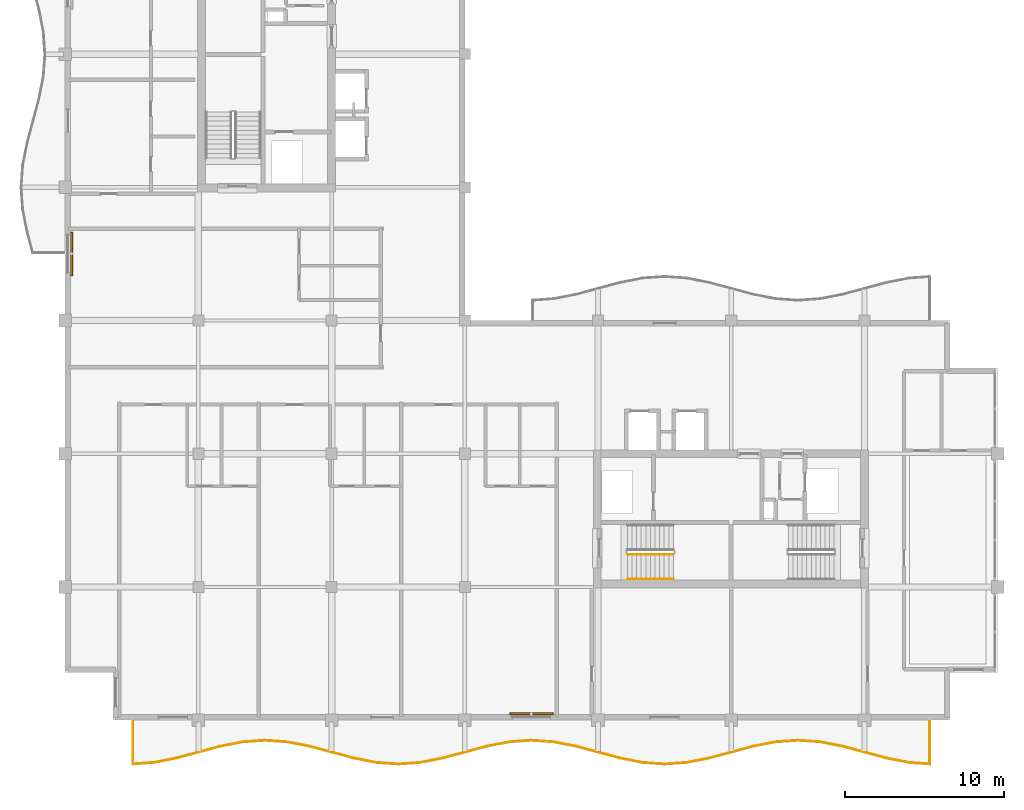
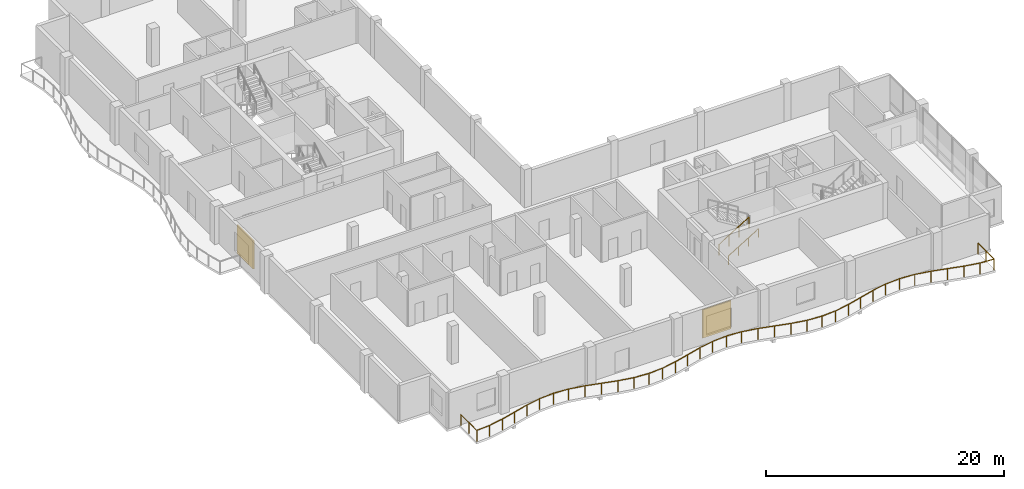
# One storey, part 12 of 14: 3 railings, 2 shading devices.
"""IFC4 building model written with IfcOpenShell, lengths in metres."""

from ifc_helpers import new_model, si_unit, direction, frame, origin, origin_2d, place, context, subcontext, project, spatial, rectangle, circle, extrude, material, layer, layer_set, type_object, element, save


model = new_model("IFC4")

# Units and contexts
model_context = context("Model", 3, precision=1e-05, world=origin(), true_north=direction((0.0, 1.0)))
body_context = subcontext(model_context, "Body", "Model", "MODEL_VIEW")
ifc_project = project(units=[si_unit("LENGTHUNIT", "METRE"), si_unit("AREAUNIT", "SQUARE_METRE"), si_unit("VOLUMEUNIT", "CUBIC_METRE"), si_unit("PLANEANGLEUNIT", "RADIAN"), si_unit("MASSUNIT", "GRAM", prefix="KILO")], contexts=[model_context])

# Site, building, storey
site_placement = place(None, origin())
site = spatial("IfcSite", under=ifc_project, at=site_placement, CompositionType="ELEMENT")
building_placement = place(site_placement, origin())
building = spatial("IfcBuilding", under=site, at=building_placement, Name="Koriwani Terraces Tower", CompositionType="ELEMENT")
storey_placement = place(building_placement, frame((0.0, 0.0, 308.60009765625)))
storey = spatial("IfcBuildingStorey", under=building, at=storey_placement, Name="L76", CompositionType="ELEMENT", Elevation=308.60009765625)

# Railings
ifc_material_1 = material(Name="Steel ASTM A572 Grade 50", Category="steel")
railing_type_1 = type_object("IfcRailingType", Name="GUARD_BALUSTRADE_1150", PredefinedType="BALUSTRADE", material=ifc_material_1)
railing_1_placement = place(storey_placement, frame((12.679931640625, 8.320068359375, 0.0)))
element("IfcRailing", 1, at=railing_1_placement, inside=storey, type_object=railing_type_1, Name="L76 Balcony Perimeter Safety Balustrade (S)", PredefinedType="BALUSTRADE", context=body_context, shape_type="SweptSolid", body=[
    extrude(circle(Radius=0.02392578125, at=origin_2d()), frame((0.0, 0.0, 1.1259765625), z_axis=(0.0, -1.0, 0.0), x_axis=(1.0, 0.0, 0.0)), (0.0, 0.0, 1.0), 2.68408203125),
    extrude(circle(Radius=0.02392578125, at=origin_2d()), frame((0.0, -2.68408203125, 1.1259765625), z_axis=(0.997434099073, 0.071590627916, 0.0), x_axis=(-0.071590627916, 0.997434099073, 0.0)), (0.0, 0.0, 1.0), 1.31298828125),
    extrude(circle(Radius=0.02392578125, at=origin_2d()), frame((1.3095703125, -2.590087890625, 1.1259765625), z_axis=(0.981321393675, 0.19237547223, 0.0), x_axis=(-0.19237547223, 0.981321393675, 0.0)), (0.0, 0.0, 1.0), 1.4189453125),
    extrude(circle(Radius=0.02392578125, at=origin_2d()), frame((2.701904296875, -2.317138671875, 1.1259765625), z_axis=(0.96594917914, 0.258731875344, 0.0), x_axis=(-0.258731875344, 0.96594917914, 0.0)), (0.0, 0.0, 1.0), 2.898681640625),
    extrude(circle(Radius=0.02392578125, at=origin_2d()), frame((5.501953125, -1.567138671875, 1.1259765625), z_axis=(0.981358469957, 0.192186246762, 0.0), x_axis=(-0.192186246762, 0.981358469957, 0.0)), (0.0, 0.0, 1.0), 1.434326171875),
    extrude(circle(Radius=0.02392578125, at=origin_2d()), frame((6.909423828125, -1.29150390625, 1.1259765625), z_axis=(0.997430581876, 0.071639614309, 0.0), x_axis=(-0.071639614309, 0.997430581876, 0.0)), (0.0, 0.0, 1.0), 1.414306640625),
    extrude(circle(Radius=0.02392578125, at=origin_2d()), frame((8.320068359375, -1.190185546875, 1.1259765625), z_axis=(0.997430581876, -0.071639614309, 0.0), x_axis=(0.071639614309, 0.997430581876, 0.0)), (0.0, 0.0, 1.0), 1.414306640625),
    extrude(circle(Radius=0.02392578125, at=origin_2d()), frame((9.730712890625, -1.29150390625, 1.1259765625), z_axis=(0.981358469957, -0.192186246762, 0.0), x_axis=(0.192186246762, 0.981358469957, 0.0)), (0.0, 0.0, 1.0), 1.434326171875),
    extrude(circle(Radius=0.02392578125, at=origin_2d()), frame((11.13818359375, -1.567138671875, 1.1259765625), z_axis=(0.96594917914, -0.258731875344, 0.0), x_axis=(0.258731875344, 0.96594917914, 0.0)), (0.0, 0.0, 1.0), 2.898681640625),
    extrude(circle(Radius=0.02392578125, at=origin_2d()), frame((13.938232421875, -2.317138671875, 1.1259765625), z_axis=(0.981321393675, -0.19237547223, 0.0), x_axis=(0.19237547223, 0.981321393675, 0.0)), (0.0, 0.0, 1.0), 1.4189453125),
    extrude(circle(Radius=0.02392578125, at=origin_2d()), frame((15.33056640625, -2.590087890625, 1.1259765625), z_axis=(0.997427466293, -0.07168297904, 0.0), x_axis=(0.07168297904, 0.997427466293, 0.0)), (0.0, 0.0, 1.0), 1.39306640625),
    extrude(circle(Radius=0.02392578125, at=origin_2d()), frame((16.719970703125, -2.68994140625, 1.1259765625), z_axis=(0.997427466293, 0.07168297904, 0.0), x_axis=(-0.07168297904, 0.997427466293, 0.0)), (0.0, 0.0, 1.0), 1.39306640625),
    extrude(circle(Radius=0.02392578125, at=origin_2d()), frame((18.109375, -2.590087890625, 1.1259765625), z_axis=(0.981327760125, 0.192342993657, 0.0), x_axis=(-0.192342993657, 0.981327760125, 0.0)), (0.0, 0.0, 1.0), 1.419189453125),
    extrude(circle(Radius=0.02392578125, at=origin_2d()), frame((19.501953125, -2.317138671875, 1.1259765625), z_axis=(0.96594917914, 0.258731875344, 0.0), x_axis=(-0.258731875344, 0.96594917914, 0.0)), (0.0, 0.0, 1.0), 2.898681640625),
    extrude(circle(Radius=0.02392578125, at=origin_2d()), frame((22.302001953125, -1.567138671875, 1.1259765625), z_axis=(0.981358469957, 0.192186246762, 0.0), x_axis=(-0.192186246762, 0.981358469957, 0.0)), (0.0, 0.0, 1.0), 1.434326171875),
    extrude(circle(Radius=0.02392578125, at=origin_2d()), frame((23.70947265625, -1.29150390625, 1.1259765625), z_axis=(0.997430581876, 0.071639614309, 0.0), x_axis=(-0.071639614309, 0.997430581876, 0.0)), (0.0, 0.0, 1.0), 1.414306640625),
    extrude(circle(Radius=0.02392578125, at=origin_2d()), frame((25.1201171875, -1.190185546875, 1.1259765625), z_axis=(0.997430581876, -0.071639614309, 0.0), x_axis=(0.071639614309, 0.997430581876, 0.0)), (0.0, 0.0, 1.0), 1.414306640625),
    extrude(circle(Radius=0.02392578125, at=origin_2d()), frame((26.53076171875, -1.29150390625, 1.1259765625), z_axis=(0.981352180954, -0.192218357442, 0.0), x_axis=(0.192218357442, 0.981352180954, 0.0)), (0.0, 0.0, 1.0), 1.43408203125),
    extrude(circle(Radius=0.02392578125, at=origin_2d()), frame((27.93798828125, -1.567138671875, 1.1259765625), z_axis=(0.965954816498, -0.258710827923, 0.0), x_axis=(0.258710827923, 0.965954816498, 0.0)), (0.0, 0.0, 1.0), 2.89892578125),
    extrude(circle(Radius=0.02392578125, at=origin_2d()), frame((30.73828125, -2.317138671875, 1.1259765625), z_axis=(0.981321393675, -0.19237547223, 0.0), x_axis=(0.19237547223, 0.981321393675, 0.0)), (0.0, 0.0, 1.0), 1.4189453125),
    extrude(circle(Radius=0.02392578125, at=origin_2d()), frame((32.130615234375, -2.590087890625, 1.1259765625), z_axis=(0.997427466293, -0.07168297904, 0.0), x_axis=(0.07168297904, 0.997427466293, 0.0)), (0.0, 0.0, 1.0), 1.39306640625),
    extrude(circle(Radius=0.02392578125, at=origin_2d()), frame((33.52001953125, -2.68994140625, 1.1259765625), z_axis=(0.997427466293, 0.07168297904, 0.0), x_axis=(-0.07168297904, 0.997427466293, 0.0)), (0.0, 0.0, 1.0), 1.39306640625),
    extrude(circle(Radius=0.02392578125, at=origin_2d()), frame((34.909423828125, -2.590087890625, 1.1259765625), z_axis=(0.981327760125, 0.192342993657, 0.0), x_axis=(-0.192342993657, 0.981327760125, 0.0)), (0.0, 0.0, 1.0), 1.419189453125),
    extrude(circle(Radius=0.02392578125, at=origin_2d()), frame((36.302001953125, -2.317138671875, 1.1259765625), z_axis=(0.96594917914, 0.258731875344, 0.0), x_axis=(-0.258731875344, 0.96594917914, 0.0)), (0.0, 0.0, 1.0), 2.898681640625),
    extrude(circle(Radius=0.02392578125, at=origin_2d()), frame((39.10205078125, -1.567138671875, 1.1259765625), z_axis=(0.981358469957, 0.192186246762, 0.0), x_axis=(-0.192186246762, 0.981358469957, 0.0)), (0.0, 0.0, 1.0), 1.434326171875),
    extrude(circle(Radius=0.02392578125, at=origin_2d()), frame((40.509521484375, -1.29150390625, 1.1259765625), z_axis=(0.997430581876, 0.071639614309, 0.0), x_axis=(-0.071639614309, 0.997430581876, 0.0)), (0.0, 0.0, 1.0), 1.414306640625),
    extrude(circle(Radius=0.02392578125, at=origin_2d()), frame((41.920166015625, -1.190185546875, 1.1259765625), z_axis=(0.997429695692, -0.071651951482, 0.0), x_axis=(0.071651951482, 0.997429695692, 0.0)), (0.0, 0.0, 1.0), 1.4140625),
    extrude(circle(Radius=0.02392578125, at=origin_2d()), frame((43.33056640625, -1.29150390625, 1.1259765625), z_axis=(0.981358469957, -0.192186246762, 0.0), x_axis=(0.192186246762, 0.981358469957, 0.0)), (0.0, 0.0, 1.0), 1.434326171875),
    extrude(circle(Radius=0.02392578125, at=origin_2d()), frame((44.738037109375, -1.567138671875, 1.1259765625), z_axis=(0.96594917914, -0.258731875344, 0.0), x_axis=(0.258731875344, 0.96594917914, 0.0)), (0.0, 0.0, 1.0), 2.898681640625),
    extrude(circle(Radius=0.02392578125, at=origin_2d()), frame((47.5380859375, -2.317138671875, 1.1259765625), z_axis=(0.981327760125, -0.192342993657, 0.0), x_axis=(0.192342993657, 0.981327760125, 0.0)), (0.0, 0.0, 1.0), 1.419189453125),
    extrude(circle(Radius=0.02392578125, at=origin_2d()), frame((48.9306640625, -2.590087890625, 1.1259765625), z_axis=(0.997433145776, -0.07160390847, 0.0), x_axis=(0.07160390847, 0.997433145776, 0.0)), (0.0, 0.0, 1.0), 1.312744140625),
    extrude(circle(Radius=0.02392578125, at=origin_2d()), frame((50.239990234375, -2.68408203125, 1.1259765625), z_axis=(0.0, 1.0, 0.0), x_axis=(-1.0, 0.0, 0.0)), (0.0, 0.0, 1.0), 2.68408203125),
    extrude(circle(Radius=0.02099609375, at=origin_2d()), origin(), (0.0, 0.0, 1.0), 1.101806640625),
    extrude(circle(Radius=0.02099609375, at=origin_2d()), frame((0.0, -1.342041015625, 0.0)), (0.0, 0.0, 1.0), 1.101806640625),
    extrude(circle(Radius=0.02099609375, at=origin_2d()), frame((0.0, -2.68408203125, 0.0)), (0.0, 0.0, 1.0), 1.101806640625),
    extrude(circle(Radius=0.02099609375, at=origin_2d()), frame((1.3095703125, -2.590087890625, 0.0)), (0.0, 0.0, 1.0), 1.101806640625),
    extrude(circle(Radius=0.02099609375, at=origin_2d()), frame((2.701904296875, -2.317138671875, 0.0)), (0.0, 0.0, 1.0), 1.101806640625),
    extrude(circle(Radius=0.02099609375, at=origin_2d()), frame((4.10205078125, -1.942138671875, 0.0)), (0.0, 0.0, 1.0), 1.101806640625),
    extrude(circle(Radius=0.02099609375, at=origin_2d()), frame((5.501953125, -1.567138671875, 0.0)), (0.0, 0.0, 1.0), 1.101806640625),
    extrude(circle(Radius=0.02099609375, at=origin_2d()), frame((6.909423828125, -1.29150390625, 0.0)), (0.0, 0.0, 1.0), 1.101806640625),
    extrude(circle(Radius=0.02099609375, at=origin_2d()), frame((8.320068359375, -1.190185546875, 0.0)), (0.0, 0.0, 1.0), 1.101806640625),
    extrude(circle(Radius=0.02099609375, at=origin_2d()), frame((9.730712890625, -1.29150390625, 0.0)), (0.0, 0.0, 1.0), 1.101806640625),
    extrude(circle(Radius=0.02099609375, at=origin_2d()), frame((11.13818359375, -1.567138671875, 0.0)), (0.0, 0.0, 1.0), 1.101806640625),
    extrude(circle(Radius=0.02099609375, at=origin_2d()), frame((12.5380859375, -1.942138671875, 0.0)), (0.0, 0.0, 1.0), 1.101806640625),
    extrude(circle(Radius=0.02099609375, at=origin_2d()), frame((13.938232421875, -2.317138671875, 0.0)), (0.0, 0.0, 1.0), 1.101806640625),
    extrude(circle(Radius=0.02099609375, at=origin_2d()), frame((15.33056640625, -2.590087890625, 0.0)), (0.0, 0.0, 1.0), 1.101806640625),
    extrude(circle(Radius=0.02099609375, at=origin_2d()), frame((16.719970703125, -2.68994140625, 0.0)), (0.0, 0.0, 1.0), 1.101806640625),
    extrude(circle(Radius=0.02099609375, at=origin_2d()), frame((18.109375, -2.590087890625, 0.0)), (0.0, 0.0, 1.0), 1.101806640625),
    extrude(circle(Radius=0.02099609375, at=origin_2d()), frame((19.501953125, -2.317138671875, 0.0)), (0.0, 0.0, 1.0), 1.101806640625),
    extrude(circle(Radius=0.02099609375, at=origin_2d()), frame((20.90185546875, -1.942138671875, 0.0)), (0.0, 0.0, 1.0), 1.101806640625),
    extrude(circle(Radius=0.02099609375, at=origin_2d()), frame((22.302001953125, -1.567138671875, 0.0)), (0.0, 0.0, 1.0), 1.101806640625),
    extrude(circle(Radius=0.02099609375, at=origin_2d()), frame((23.70947265625, -1.29150390625, 0.0)), (0.0, 0.0, 1.0), 1.101806640625),
    extrude(circle(Radius=0.02099609375, at=origin_2d()), frame((25.1201171875, -1.190185546875, 0.0)), (0.0, 0.0, 1.0), 1.101806640625),
    extrude(circle(Radius=0.02099609375, at=origin_2d()), frame((26.53076171875, -1.29150390625, 0.0)), (0.0, 0.0, 1.0), 1.101806640625),
    extrude(circle(Radius=0.02099609375, at=origin_2d()), frame((27.93798828125, -1.567138671875, 0.0)), (0.0, 0.0, 1.0), 1.101806640625),
    extrude(circle(Radius=0.02099609375, at=origin_2d()), frame((29.338134765625, -1.942138671875, 0.0)), (0.0, 0.0, 1.0), 1.101806640625),
    extrude(circle(Radius=0.02099609375, at=origin_2d()), frame((30.73828125, -2.317138671875, 0.0)), (0.0, 0.0, 1.0), 1.101806640625),
    extrude(circle(Radius=0.02099609375, at=origin_2d()), frame((32.130615234375, -2.590087890625, 0.0)), (0.0, 0.0, 1.0), 1.101806640625),
    extrude(circle(Radius=0.02099609375, at=origin_2d()), frame((33.52001953125, -2.68994140625, 0.0)), (0.0, 0.0, 1.0), 1.101806640625),
    extrude(circle(Radius=0.02099609375, at=origin_2d()), frame((34.909423828125, -2.590087890625, 0.0)), (0.0, 0.0, 1.0), 1.101806640625),
    extrude(circle(Radius=0.02099609375, at=origin_2d()), frame((36.302001953125, -2.317138671875, 0.0)), (0.0, 0.0, 1.0), 1.101806640625),
    extrude(circle(Radius=0.02099609375, at=origin_2d()), frame((37.7021484375, -1.942138671875, 0.0)), (0.0, 0.0, 1.0), 1.101806640625),
    extrude(circle(Radius=0.02099609375, at=origin_2d()), frame((39.10205078125, -1.567138671875, 0.0)), (0.0, 0.0, 1.0), 1.101806640625),
    extrude(circle(Radius=0.02099609375, at=origin_2d()), frame((40.509521484375, -1.29150390625, 0.0)), (0.0, 0.0, 1.0), 1.101806640625),
    extrude(circle(Radius=0.02099609375, at=origin_2d()), frame((41.920166015625, -1.190185546875, 0.0)), (0.0, 0.0, 1.0), 1.101806640625),
    extrude(circle(Radius=0.02099609375, at=origin_2d()), frame((43.33056640625, -1.29150390625, 0.0)), (0.0, 0.0, 1.0), 1.101806640625),
    extrude(circle(Radius=0.02099609375, at=origin_2d()), frame((44.738037109375, -1.567138671875, 0.0)), (0.0, 0.0, 1.0), 1.101806640625),
    extrude(circle(Radius=0.02099609375, at=origin_2d()), frame((46.13818359375, -1.942138671875, 0.0)), (0.0, 0.0, 1.0), 1.101806640625),
    extrude(circle(Radius=0.02099609375, at=origin_2d()), frame((47.5380859375, -2.317138671875, 0.0)), (0.0, 0.0, 1.0), 1.101806640625),
    extrude(circle(Radius=0.02099609375, at=origin_2d()), frame((48.9306640625, -2.590087890625, 0.0)), (0.0, 0.0, 1.0), 1.101806640625),
    extrude(circle(Radius=0.02099609375, at=origin_2d()), frame((50.239990234375, -2.68408203125, 0.0)), (0.0, 0.0, 1.0), 1.101806640625),
    extrude(circle(Radius=0.02099609375, at=origin_2d()), frame((50.239990234375, -1.342041015625, 0.0)), (0.0, 0.0, 1.0), 1.101806640625),
    extrude(circle(Radius=0.02099609375, at=origin_2d()), frame((50.239990234375, 0.0, 0.0)), (0.0, 0.0, 1.0), 1.101806640625),
])
railing_type_2 = type_object("IfcRailingType", Name="GUARD_STAIR_WELL_1120", PredefinedType="GUARDRAIL", material=ifc_material_1)
railing_2_placement = place(storey_placement, frame((43.85009765625, 18.85009765625, 0.17724609375)))
element("IfcRailing", 2, at=railing_2_placement, inside=storey, type_object=railing_type_2, Name="L76 ST-E1 stair guard 1", PredefinedType="GUARDRAIL", context=body_context, shape_type="SweptSolid", body=[
    extrude(circle(Radius=0.02392578125, at=origin_2d()), frame((0.0, 0.0, 1.1259765625), z_axis=(0.853210801645, 0.0, 0.521566225858), x_axis=(0.0, 1.0, 0.0)), (0.0, 0.0, 1.0), 3.39892578125),
    extrude(circle(Radius=0.02099609375, at=origin_2d()), origin(), (0.0, 0.0, 1.0), 1.101806640625),
    extrude(circle(Radius=0.02099609375, at=origin_2d()), frame((0.966552734375, 0.0, 0.5908203125)), (0.0, 0.0, 1.0), 1.101806640625),
    extrude(circle(Radius=0.02099609375, at=origin_2d()), frame((1.933349609375, 0.0, 1.181884765625)), (0.0, 0.0, 1.0), 1.101806640625),
    extrude(circle(Radius=0.02099609375, at=origin_2d()), frame((2.89990234375, 0.0, 1.772705078125)), (0.0, 0.0, 1.0), 1.101806640625),
])
railing_type_3 = type_object("IfcRailingType", Name="HANDRAIL_STAIR_920", PredefinedType="HANDRAIL", material=ifc_material_1)
railing_3_placement = place(storey_placement, frame((43.85009765625, 17.300048828125, 0.17724609375)))
element("IfcRailing", 3, at=railing_3_placement, inside=storey, type_object=railing_type_3, Name="L76 ST-E1 stair handrail 1", PredefinedType="HANDRAIL", context=body_context, shape_type="SweptSolid", body=[
    extrude(circle(Radius=0.02392578125, at=origin_2d()), frame((0.0, 0.0, 0.8759765625), z_axis=(0.853210801645, 0.0, 0.521566225858), x_axis=(0.0, 1.0, 0.0)), (0.0, 0.0, 1.0), 3.39892578125),
    extrude(circle(Radius=0.02099609375, at=origin_2d()), origin(), (0.0, 0.0, 1.0), 0.851806640625),
    extrude(circle(Radius=0.02099609375, at=origin_2d()), frame((0.966552734375, 0.0, 0.5908203125)), (0.0, 0.0, 1.0), 0.851806640625),
    extrude(circle(Radius=0.02099609375, at=origin_2d()), frame((1.933349609375, 0.0, 1.181884765625)), (0.0, 0.0, 1.0), 0.851806640625),
    extrude(circle(Radius=0.02099609375, at=origin_2d()), frame((2.89990234375, 0.0, 1.772705078125)), (0.0, 0.0, 1.0), 0.851806640625),
])

# Shading devices
ifc_material_2 = material(Name="Extruded Terracotta Clay", Category="masonry")
ifc_layer = layer(ifc_material_2, 0.1201171875, Name="Extruded Terracotta Clay")
ifc_layer_set = layer_set([ifc_layer], Name="Extruded Terracotta Clay")
shading_device_type = type_object("IfcShadingDeviceType", Name="TERRACOTTA_BAGUETTE_SCREEN_2800", PredefinedType="USERDEFINED", material=ifc_layer_set)
for number, where, z_axis, x_axis, name in (
    (4, (8.804931640625, 37.800048828125, 0.385009765625), (0.0, 0.0, 1.0), (0.0, 1.0, 0.0), "L76 Extruded Terracotta Baguette Screen (W-9)"),
    (5, (37.800048828125, 8.804931640625, 0.385009765625), (0.0, 0.0, 1.0), (-1.0, 0.0, 0.0), "L76 Extruded Terracotta Baguette Screen (S-9)"),
):
    element("IfcShadingDevice", number, at=place(storey_placement, frame(where, z_axis=z_axis, x_axis=x_axis)), inside=storey, type_object=shading_device_type, Name=name, ObjectType="BAGUETTE", PredefinedType="USERDEFINED", context=body_context, shape_type="SweptSolid", body=[
        extrude(rectangle(XDim=2.760009765625, YDim=0.1201171875, at=origin_2d()), origin(), (0.0, 0.0, 1.0), 2.89990234375),
    ])

save(model, "model.ifc")
